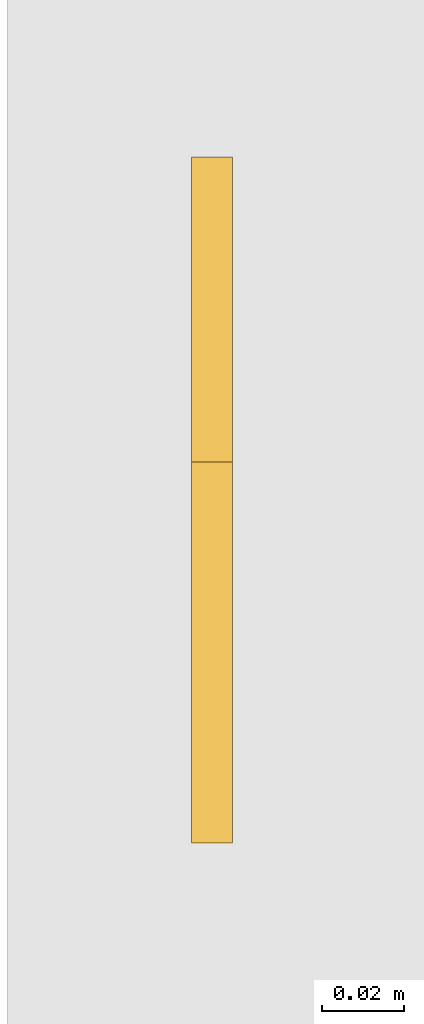
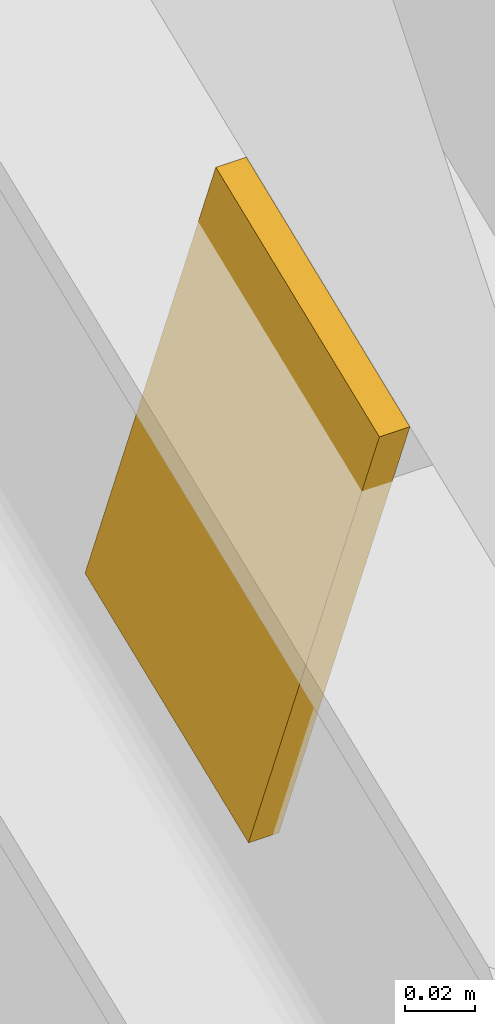
# One storey, part 104 of 109: 1 covering.
"""IFC4 building model written with IfcOpenShell, lengths in metres."""

import ifcopenshell
import ifcopenshell.guid

model = None  # the IFC model being written
_history = None  # IfcOwnerHistory: only IFC2X3 demands one
_inside = {}  # id of a spatial element -> (the spatial element, [elements in it])
_under = {}  # id of a project, library or spatial element -> (it, [spatial elements below it])
_declared = {}  # id of a project -> (the project, [libraries it declares])
_typed = {}  # id of a type object -> (the type object, [elements of that type])
_made_of = {}  # id of a material, layer set ... -> (it, [elements and type objects made of it])


def new_model(schema):
    """Start an empty IFC model of exactly this schema.

    Asked for "IFC4X3", IfcOpenShell would pick the latest addendum, in which some entities
    have other attributes; the version numbers below select the first issue.
    IFC2X3 requires an IfcOwnerHistory on every rooted entity: one is made here for all.
    """
    global model, _history
    if schema == "IFC4X3":
        model = ifcopenshell.file(schema_version=(4, 3, 0, 0))
    else:
        model = ifcopenshell.file(schema=schema)
    _inside.clear()
    _under.clear()
    _declared.clear()
    _typed.clear()
    _made_of.clear()
    _history = None
    if model.schema == "IFC2X3":
        org = make("IfcOrganization", Name="unknown")
        user = make(
            "IfcPersonAndOrganization",
            ThePerson=make("IfcPerson", FamilyName="unknown"),
            TheOrganization=org,
        )
        app = make(
            "IfcApplication",
            ApplicationDeveloper=org,
            Version="unknown",
            ApplicationFullName="unknown",
            ApplicationIdentifier="unknown",
        )
        _history = make(
            "IfcOwnerHistory",
            OwningUser=user,
            OwningApplication=app,
            ChangeAction="ADDED",
            CreationDate=0,
        )
    return model


def make(cls, **values):
    """One entity of the class cls with the attributes given. An attribute that is None is left unset."""
    return model.create_entity(
        cls, **{name: value for name, value in values.items() if value is not None}
    )


def rooted(cls, **values):
    """An entity with a GlobalId (a new one), such as an element, a storey or a relation."""
    return make(cls, GlobalId=ifcopenshell.guid.new(), OwnerHistory=_history, **values)


def si_unit(unit_type, name, prefix=None):
    """IfcSIUnit, for example si_unit("LENGTHUNIT", "METRE", prefix="MILLI")."""
    return make("IfcSIUnit", UnitType=unit_type, Prefix=prefix, Name=name)


def assignment(units):
    """IfcUnitAssignment: the units of a project."""
    return None if units is None else make("IfcUnitAssignment", Units=units)


def point(xyz):
    """IfcCartesianPoint."""
    return None if xyz is None else make("IfcCartesianPoint", Coordinates=xyz)


def direction(xyz):
    """IfcDirection."""
    return None if xyz is None else make("IfcDirection", DirectionRatios=xyz)


def frame(location, z_axis=None, x_axis=None):
    """IfcAxis2Placement3D, a coordinate frame: its origin and axes. An axis left out is left unset."""
    return make(
        "IfcAxis2Placement3D",
        Location=point(location),
        Axis=direction(z_axis),
        RefDirection=direction(x_axis),
    )


def origin():
    """The frame at (0, 0, 0) with its axes left unset."""
    return frame((0.0, 0.0, 0.0))


def place(relative_to, where):
    """IfcLocalPlacement: puts the frame where relative to a parent placement (None: the world)."""
    return make(
        "IfcLocalPlacement", PlacementRelTo=relative_to, RelativePlacement=where
    )


def context(
    kind, dimensions, precision=None, world=None, true_north=None, identifier=None
):
    """IfcGeometricRepresentationContext, for example the 3D "Model" context."""
    return make(
        "IfcGeometricRepresentationContext",
        ContextIdentifier=identifier,
        ContextType=kind,
        CoordinateSpaceDimension=dimensions,
        Precision=precision,
        WorldCoordinateSystem=world,
        TrueNorth=true_north,
    )


def subcontext(parent, identifier, kind, view, scale=None):
    """IfcGeometricRepresentationSubContext, for example "Body" below "Model"."""
    return make(
        "IfcGeometricRepresentationSubContext",
        ContextIdentifier=identifier,
        ContextType=kind,
        ParentContext=parent,
        TargetScale=scale,
        TargetView=view,
    )


def project(units=None, contexts=None):
    """IfcProject with its units and contexts."""
    return rooted(
        "IfcProject",
        Name="project",
        RepresentationContexts=contexts,
        UnitsInContext=assignment(units),
    )


def spatial(cls, under=None, at=None, **own):
    """A site, building, storey or space (cls), placed at a placement, below another one or the project."""
    s = rooted(cls, ObjectPlacement=at, **own)
    if under is not None:
        _under.setdefault(under.id(), (under, []))[1].append(s)
    return s


def polyline(points):
    """IfcPolyline through the points."""
    return make("IfcPolyline", Points=[point(p) for p in points])


def outline(outer, holes=None, kind="AREA"):
    """IfcArbitraryClosedProfileDef: a profile drawn as a closed curve; with holes, ...WithVoids."""
    if holes is None:
        return make("IfcArbitraryClosedProfileDef", ProfileType=kind, OuterCurve=outer)
    return make(
        "IfcArbitraryProfileDefWithVoids",
        ProfileType=kind,
        OuterCurve=outer,
        InnerCurves=holes,
    )


def extrude(swept, where, along, depth):
    """IfcExtrudedAreaSolid: the profile swept, set in the frame where, extruded along a direction by depth."""
    return make(
        "IfcExtrudedAreaSolid",
        SweptArea=swept,
        Position=where,
        ExtrudedDirection=direction(along),
        Depth=depth,
    )


def shape(context_of_items, identifier, shape_type, items):
    """IfcShapeRepresentation: the items that make up one representation, for example the "Body"."""
    return make(
        "IfcShapeRepresentation",
        ContextOfItems=context_of_items,
        RepresentationIdentifier=identifier,
        RepresentationType=shape_type,
        Items=items,
    )


def material(Name=None, Category=None):
    """IfcMaterial."""
    return make("IfcMaterial", Name=Name, Category=Category)


def material_profile(
    of_material, cross_section, Name=None, Category=None, Priority=None
):
    """IfcMaterialProfile: a cross section and its material."""
    return make(
        "IfcMaterialProfile",
        Name=Name,
        Material=of_material,
        Profile=cross_section,
        Priority=Priority,
        Category=Category,
    )


def profile_set(profiles, Name=None, composite=None):
    """IfcMaterialProfileSet."""
    return make(
        "IfcMaterialProfileSet",
        Name=Name,
        MaterialProfiles=profiles,
        CompositeProfile=composite,
    )


def made_of(thing, what):
    """Note that an element or type object is made of a material, layer set ...; save() writes the relation."""
    if what is not None:
        _made_of.setdefault(what.id(), (what, []))[1].append(thing)
    return thing


def type_object(cls, material=None, **own):
    """A type object (cls), such as IfcWallType, which elements share."""
    return made_of(rooted(cls, **own), material)


def element(
    cls,
    number,
    at=None,
    inside=None,
    cuts=None,
    type_object=None,
    material=None,
    context=None,
    identifier="Body",
    shape_type=None,
    held_by="IfcProductDefinitionShape",
    body=None,
    shapes=None,
    **own,
):
    """One element of the class cls, such as IfcWall. Its Tag is "e" and its number.

    at: its placement. inside: the storey or other place that contains it. cuts: it is an
    opening in that element (IfcRelVoidsElement). A single representation is given by context,
    identifier, shape_type and body (its items); several are given by shapes. held_by: the class
    of the entity that holds the representations. save() writes the other relations.
    """
    e = rooted(cls, Tag="e%d" % number, ObjectPlacement=at, **own)
    if body is not None:
        shapes = [shape(context, identifier, shape_type, body)]
    if shapes is not None:
        e.Representation = make(held_by, Representations=shapes)
    if inside is not None:
        _inside.setdefault(inside.id(), (inside, []))[1].append(e)
    if cuts is not None:
        rooted(
            "IfcRelVoidsElement", RelatingBuildingElement=cuts, RelatedOpeningElement=e
        )
    if type_object is not None:
        _typed.setdefault(type_object.id(), (type_object, []))[1].append(e)
    return made_of(e, material)


def aggregate(whole, parts):
    """IfcRelAggregates: a whole, such as a stair, and the parts it consists of."""
    return rooted("IfcRelAggregates", RelatingObject=whole, RelatedObjects=parts)


def save(model, path):
    """Write the relations noted so far, then the file.

    IfcRelAggregates (storeys below a building ...), IfcRelContainedInSpatialStructure (elements
    in a storey), IfcRelDefinesByType, IfcRelAssociatesMaterial and IfcRelDeclares: one each for
    every whole, place, type object, material and project.
    """
    for whole, parts in _under.values():
        aggregate(whole, parts)
    for where, things in _inside.values():
        rooted(
            "IfcRelContainedInSpatialStructure",
            RelatedElements=things,
            RelatingStructure=where,
        )
    for kind, things in _typed.values():
        rooted("IfcRelDefinesByType", RelatedObjects=things, RelatingType=kind)
    for what, things in _made_of.values():
        rooted("IfcRelAssociatesMaterial", RelatedObjects=things, RelatingMaterial=what)
    for by, libraries in _declared.values():
        rooted("IfcRelDeclares", RelatingContext=by, RelatedDefinitions=libraries)
    model.write(path)


model = new_model("IFC4")

# Units and contexts
model_context = context("Model", 3, precision=1e-05, world=origin(), true_north=direction((0.0, 1.0)))
body_context = subcontext(model_context, "Body", "Model", "MODEL_VIEW")
ifc_project = project(units=[si_unit("LENGTHUNIT", "METRE"), si_unit("AREAUNIT", "SQUARE_METRE"), si_unit("VOLUMEUNIT", "CUBIC_METRE"), si_unit("PLANEANGLEUNIT", "RADIAN"), si_unit("MASSUNIT", "GRAM", prefix="KILO")], contexts=[model_context])

# Site, building, storey
site_placement = place(None, origin())
site = spatial("IfcSite", under=ifc_project, at=site_placement, CompositionType="ELEMENT")
building_placement = place(site_placement, origin())
building = spatial("IfcBuilding", under=site, at=building_placement, Name="Lantern Court Research Institute", CompositionType="ELEMENT")
storey_placement = place(building_placement, frame((0.0, 0.0, 14.39990234375)))
storey = spatial("IfcBuildingStorey", under=building, at=storey_placement, Name="L03", CompositionType="ELEMENT", Elevation=14.39990234375)

# Covering
ifc_material = material(Name="Structural steel S355", Category="steel")
ifc_material_profile = material_profile(ifc_material, outline(polyline([(-0.050048828125, -0.10009765625), (0.050048828125, -0.10009765625), (0.050048828125, 0.10009765625), (-0.050048828125, 0.10009765625), (-0.050048828125, -0.10009765625)])), Name="Purlin end cap 200 x 100 x 10")
ifc_profile_set = profile_set([ifc_material_profile], Name="Structural steel S355")
covering_type = type_object("IfcCoveringType", Name="Purlin end cap 200 x 100 x 10", PredefinedType="MOLDING", material=ifc_profile_set)
covering_placement = place(storey_placement, frame((0.0, 68.767578125, 2.540283203125), z_axis=(-1.0, 0.0, 0.0), x_axis=(0.0, -0.928476694038, -0.371390668473)))
element("IfcCovering", 1, at=covering_placement, inside=storey, type_object=covering_type, Name="Purlin end cap", PredefinedType="MOLDING", context=body_context, shape_type="SweptSolid", body=[
    extrude(outline(polyline([(-0.050048828125, -0.10009765625), (0.050048828125, -0.10009765625), (0.050048828125, 0.10009765625), (-0.050048828125, 0.10009765625), (-0.050048828125, -0.10009765625)])), origin(), (0.0, 0.0, 1.0), 0.010009765625),
])

save(model, "model.ifc")
